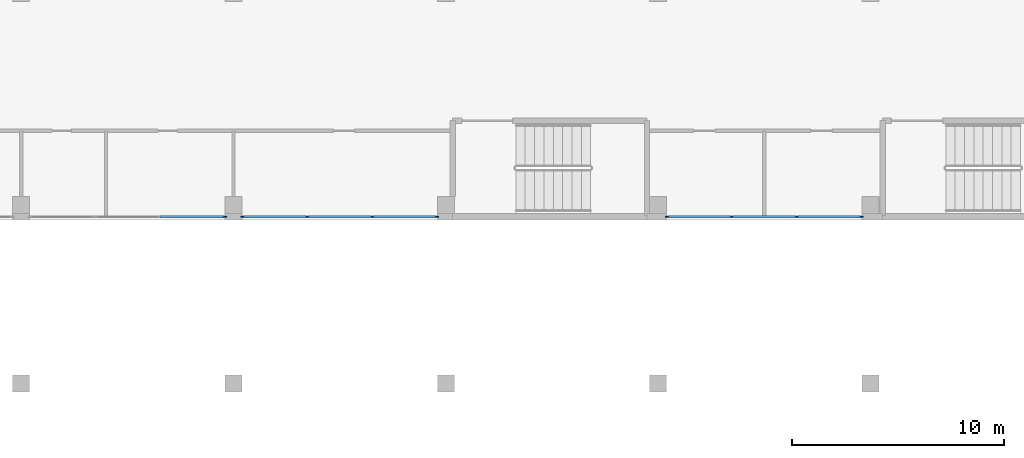
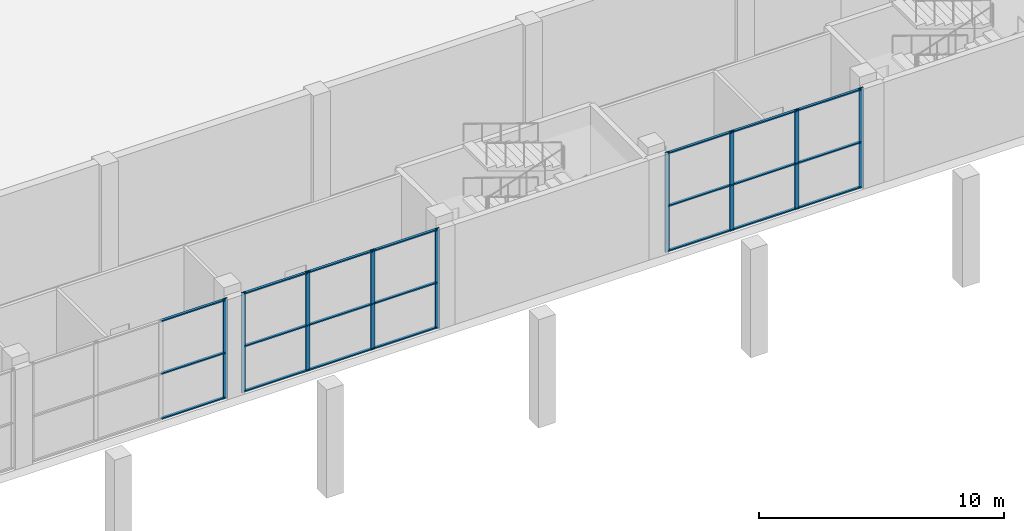
# One storey, part 3 of 35: 30 members, 3 elements without a shape of their own.
"""IFC4 building model written with IfcOpenShell, lengths in metres."""

from ifc_helpers import new_model, si_unit, direction, frame, origin, origin_2d, place, context, subcontext, project, spatial, rectangle, extrude, material, material_profile, profile_set, type_object, element, aggregate, save


model = new_model("IFC4")

# Units and contexts
model_context = context("Model", 3, precision=1e-05, world=origin(), true_north=direction((0.0, 1.0)))
body_context = subcontext(model_context, "Body", "Model", "MODEL_VIEW")
ifc_project = project(units=[si_unit("LENGTHUNIT", "METRE"), si_unit("AREAUNIT", "SQUARE_METRE"), si_unit("VOLUMEUNIT", "CUBIC_METRE"), si_unit("PLANEANGLEUNIT", "RADIAN"), si_unit("MASSUNIT", "GRAM", prefix="KILO")], contexts=[model_context])

# Site, building, storey
site_placement = place(None, origin())
site = spatial("IfcSite", under=ifc_project, at=site_placement, CompositionType="ELEMENT")
building_placement = place(site_placement, origin())
building = spatial("IfcBuilding", under=site, at=building_placement, Name="Jabali Bay Hotel Tower and Convention Centre", CompositionType="ELEMENT")
storey_placement = place(building_placement, frame((0.0, 0.0, 15.0)))
storey = spatial("IfcBuildingStorey", under=building, at=storey_placement, Name="L02", CompositionType="ELEMENT", Elevation=15.0)

# Curtain wall, member
ifc_material_1 = material(Name="Aluminium 6063-T5 and glass", Category="aluminium")
curtain_wall_type = type_object("IfcCurtainWallType", Name="CC CW5 Unitised Curtain Wall", PredefinedType="NOTDEFINED", material=ifc_material_1)
curtain_wall_1_placement = place(storey_placement, origin())
curtain_wall_1 = element("IfcCurtainWall", 1, at=curtain_wall_1_placement, inside=storey, type_object=curtain_wall_type, Name="CC CW5 run 3", PredefinedType="NOTDEFINED")
ifc_material_2 = material(Name="Aluminium 6063-T5", Category="aluminium")
ifc_material_profile_1 = material_profile(ifc_material_2, rectangle(XDim=0.06005859375, YDim=0.199951171875, at=origin_2d()), Name="AL 60x200")
ifc_profile_set_1 = profile_set([ifc_material_profile_1], Name="Aluminium 6063-T5")
member_type_1 = type_object("IfcMemberType", Name="CC Curtain Wall Mullion 60x200", PredefinedType="MULLION", material=ifc_profile_set_1)
member_1_placement = place(storey_placement, frame((190.27001953125, 49.449951171875, 0.0), z_axis=(0.0, 0.0, 1.0), x_axis=(0.0, 1.0, 0.0)))
member_1 = element("IfcMember", 2, at=member_1_placement, type_object=member_type_1, Name="CC-CW5 mullion 4", PredefinedType="MULLION", context=body_context, shape_type="SweptSolid", body=[
    extrude(rectangle(XDim=0.06005859375, YDim=0.199951171875, at=origin_2d()), origin(), (0.0, 0.0, 1.0), 4.989990234375),
])

# Curtain wall, members
curtain_wall_2_placement = place(storey_placement, origin())
curtain_wall_2 = element("IfcCurtainWall", 3, at=curtain_wall_2_placement, inside=storey, type_object=curtain_wall_type, Name="CC CW5 run 4", PredefinedType="NOTDEFINED")
member_2_placement = place(storey_placement, frame((191.1298828125, 49.449951171875, 0.0), z_axis=(0.0, 0.0, 1.0), x_axis=(0.0, 1.0, 0.0)))
member_2 = element("IfcMember", 4, at=member_2_placement, type_object=member_type_1, Name="CC-CW5 mullion 1", PredefinedType="MULLION", context=body_context, shape_type="SweptSolid", body=[
    extrude(rectangle(XDim=0.06005859375, YDim=0.199951171875, at=origin_2d()), origin(), (0.0, 0.0, 1.0), 4.989990234375),
])
member_3_placement = place(storey_placement, frame((194.166748046875, 49.449951171875, 0.0), z_axis=(0.0, 0.0, 1.0), x_axis=(0.0, 1.0, 0.0)))
member_3 = element("IfcMember", 5, at=member_3_placement, type_object=member_type_1, Name="CC-CW5 mullion 2", PredefinedType="MULLION", context=body_context, shape_type="SweptSolid", body=[
    extrude(rectangle(XDim=0.06005859375, YDim=0.199951171875, at=origin_2d()), origin(), (0.0, 0.0, 1.0), 4.989990234375),
])
member_4_placement = place(storey_placement, frame((197.2333984375, 49.449951171875, 0.0), z_axis=(0.0, 0.0, 1.0), x_axis=(0.0, 1.0, 0.0)))
member_4 = element("IfcMember", 6, at=member_4_placement, type_object=member_type_1, Name="CC-CW5 mullion 3", PredefinedType="MULLION", context=body_context, shape_type="SweptSolid", body=[
    extrude(rectangle(XDim=0.06005859375, YDim=0.199951171875, at=origin_2d()), origin(), (0.0, 0.0, 1.0), 4.989990234375),
])
member_5_placement = place(storey_placement, frame((200.27001953125, 49.449951171875, 0.0), z_axis=(0.0, 0.0, 1.0), x_axis=(0.0, 1.0, 0.0)))
member_5 = element("IfcMember", 7, at=member_5_placement, type_object=member_type_1, Name="CC-CW5 mullion 4", PredefinedType="MULLION", context=body_context, shape_type="SweptSolid", body=[
    extrude(rectangle(XDim=0.06005859375, YDim=0.199951171875, at=origin_2d()), origin(), (0.0, 0.0, 1.0), 4.989990234375),
])

curtain_wall_3_placement = place(storey_placement, origin())
curtain_wall_3 = element("IfcCurtainWall", 8, at=curtain_wall_3_placement, inside=storey, type_object=curtain_wall_type, Name="CC CW5 run 5", PredefinedType="NOTDEFINED")
member_6_placement = place(storey_placement, frame((211.1298828125, 49.449951171875, 0.0), z_axis=(0.0, 0.0, 1.0), x_axis=(0.0, 1.0, 0.0)))
member_6 = element("IfcMember", 9, at=member_6_placement, type_object=member_type_1, Name="CC-CW5 mullion 1", PredefinedType="MULLION", context=body_context, shape_type="SweptSolid", body=[
    extrude(rectangle(XDim=0.06005859375, YDim=0.199951171875, at=origin_2d()), origin(), (0.0, 0.0, 1.0), 4.989990234375),
])
member_7_placement = place(storey_placement, frame((214.166748046875, 49.449951171875, 0.0), z_axis=(0.0, 0.0, 1.0), x_axis=(0.0, 1.0, 0.0)))
member_7 = element("IfcMember", 10, at=member_7_placement, type_object=member_type_1, Name="CC-CW5 mullion 2", PredefinedType="MULLION", context=body_context, shape_type="SweptSolid", body=[
    extrude(rectangle(XDim=0.06005859375, YDim=0.199951171875, at=origin_2d()), origin(), (0.0, 0.0, 1.0), 4.989990234375),
])
member_8_placement = place(storey_placement, frame((217.2333984375, 49.449951171875, 0.0), z_axis=(0.0, 0.0, 1.0), x_axis=(0.0, 1.0, 0.0)))
member_8 = element("IfcMember", 11, at=member_8_placement, type_object=member_type_1, Name="CC-CW5 mullion 3", PredefinedType="MULLION", context=body_context, shape_type="SweptSolid", body=[
    extrude(rectangle(XDim=0.06005859375, YDim=0.199951171875, at=origin_2d()), origin(), (0.0, 0.0, 1.0), 4.989990234375),
])
member_9_placement = place(storey_placement, frame((220.27001953125, 49.449951171875, 0.0), z_axis=(0.0, 0.0, 1.0), x_axis=(0.0, 1.0, 0.0)))
member_9 = element("IfcMember", 12, at=member_9_placement, type_object=member_type_1, Name="CC-CW5 mullion 4", PredefinedType="MULLION", context=body_context, shape_type="SweptSolid", body=[
    extrude(rectangle(XDim=0.06005859375, YDim=0.199951171875, at=origin_2d()), origin(), (0.0, 0.0, 1.0), 4.989990234375),
])

# Member
ifc_material_profile_2 = material_profile(ifc_material_2, rectangle(XDim=0.1201171875, YDim=0.06005859375, at=origin_2d()), Name="AL 120x60")
ifc_profile_set_2 = profile_set([ifc_material_profile_2], Name="Aluminium 6063-T5")
member_type_2 = type_object("IfcMemberType", Name="CC Curtain Wall Transom 60x120", PredefinedType="USERDEFINED", material=ifc_profile_set_2)
member_10_placement = place(storey_placement, frame((187.263427734375, 49.449951171875, 0.06005859375), z_axis=(1.0, 0.0, 0.0), x_axis=(0.0, 1.0, 0.0)))
member_10 = element("IfcMember", 13, at=member_10_placement, type_object=member_type_2, Name="CC-CW5 transom 3.1", ObjectType="TRANSOM", PredefinedType="USERDEFINED", context=body_context, shape_type="SweptSolid", body=[
    extrude(rectangle(XDim=0.1201171875, YDim=0.06005859375, at=origin_2d()), origin(), (0.0, 0.0, 1.0), 2.9765625),
])

member_11_placement = place(storey_placement, frame((187.263427734375, 49.449951171875, 2.300048828125), z_axis=(1.0, 0.0, 0.0), x_axis=(0.0, 1.0, 0.0)))
member_11 = element("IfcMember", 14, at=member_11_placement, type_object=member_type_2, Name="CC-CW5 transom 3.2", ObjectType="TRANSOM", PredefinedType="USERDEFINED", context=body_context, shape_type="SweptSolid", body=[
    extrude(rectangle(XDim=0.1201171875, YDim=0.06005859375, at=origin_2d()), origin(), (0.0, 0.0, 1.0), 2.9765625),
])

member_12_placement = place(storey_placement, frame((187.263427734375, 49.449951171875, 4.929931640625), z_axis=(1.0, 0.0, 0.0), x_axis=(0.0, 1.0, 0.0)))
member_12 = element("IfcMember", 15, at=member_12_placement, type_object=member_type_2, Name="CC-CW5 transom 3.3", ObjectType="TRANSOM", PredefinedType="USERDEFINED", context=body_context, shape_type="SweptSolid", body=[
    extrude(rectangle(XDim=0.1201171875, YDim=0.06005859375, at=origin_2d()), origin(), (0.0, 0.0, 1.0), 2.9765625),
])

aggregate(curtain_wall_1, [member_1, member_10, member_11, member_12])

member_13_placement = place(storey_placement, frame((191.159912109375, 49.449951171875, 0.06005859375), z_axis=(1.0, 0.0, 0.0), x_axis=(0.0, 1.0, 0.0)))
member_13 = element("IfcMember", 16, at=member_13_placement, type_object=member_type_2, Name="CC-CW5 transom 1.1", ObjectType="TRANSOM", PredefinedType="USERDEFINED", context=body_context, shape_type="SweptSolid", body=[
    extrude(rectangle(XDim=0.1201171875, YDim=0.06005859375, at=origin_2d()), origin(), (0.0, 0.0, 1.0), 2.976806640625),
])

member_14_placement = place(storey_placement, frame((191.159912109375, 49.449951171875, 2.300048828125), z_axis=(1.0, 0.0, 0.0), x_axis=(0.0, 1.0, 0.0)))
member_14 = element("IfcMember", 17, at=member_14_placement, type_object=member_type_2, Name="CC-CW5 transom 1.2", ObjectType="TRANSOM", PredefinedType="USERDEFINED", context=body_context, shape_type="SweptSolid", body=[
    extrude(rectangle(XDim=0.1201171875, YDim=0.06005859375, at=origin_2d()), origin(), (0.0, 0.0, 1.0), 2.976806640625),
])

member_15_placement = place(storey_placement, frame((191.159912109375, 49.449951171875, 4.929931640625), z_axis=(1.0, 0.0, 0.0), x_axis=(0.0, 1.0, 0.0)))
member_15 = element("IfcMember", 18, at=member_15_placement, type_object=member_type_2, Name="CC-CW5 transom 1.3", ObjectType="TRANSOM", PredefinedType="USERDEFINED", context=body_context, shape_type="SweptSolid", body=[
    extrude(rectangle(XDim=0.1201171875, YDim=0.06005859375, at=origin_2d()), origin(), (0.0, 0.0, 1.0), 2.976806640625),
])

member_16_placement = place(storey_placement, frame((194.19677734375, 49.449951171875, 0.06005859375), z_axis=(1.0, 0.0, 0.0), x_axis=(0.0, 1.0, 0.0)))
member_16 = element("IfcMember", 19, at=member_16_placement, type_object=member_type_2, Name="CC-CW5 transom 2.1", ObjectType="TRANSOM", PredefinedType="USERDEFINED", context=body_context, shape_type="SweptSolid", body=[
    extrude(rectangle(XDim=0.1201171875, YDim=0.06005859375, at=origin_2d()), origin(), (0.0, 0.0, 1.0), 3.006591796875),
])

member_17_placement = place(storey_placement, frame((194.19677734375, 49.449951171875, 2.300048828125), z_axis=(1.0, 0.0, 0.0), x_axis=(0.0, 1.0, 0.0)))
member_17 = element("IfcMember", 20, at=member_17_placement, type_object=member_type_2, Name="CC-CW5 transom 2.2", ObjectType="TRANSOM", PredefinedType="USERDEFINED", context=body_context, shape_type="SweptSolid", body=[
    extrude(rectangle(XDim=0.1201171875, YDim=0.06005859375, at=origin_2d()), origin(), (0.0, 0.0, 1.0), 3.006591796875),
])

member_18_placement = place(storey_placement, frame((194.19677734375, 49.449951171875, 4.929931640625), z_axis=(1.0, 0.0, 0.0), x_axis=(0.0, 1.0, 0.0)))
member_18 = element("IfcMember", 21, at=member_18_placement, type_object=member_type_2, Name="CC-CW5 transom 2.3", ObjectType="TRANSOM", PredefinedType="USERDEFINED", context=body_context, shape_type="SweptSolid", body=[
    extrude(rectangle(XDim=0.1201171875, YDim=0.06005859375, at=origin_2d()), origin(), (0.0, 0.0, 1.0), 3.006591796875),
])

member_19_placement = place(storey_placement, frame((197.263427734375, 49.449951171875, 0.06005859375), z_axis=(1.0, 0.0, 0.0), x_axis=(0.0, 1.0, 0.0)))
member_19 = element("IfcMember", 22, at=member_19_placement, type_object=member_type_2, Name="CC-CW5 transom 3.1", ObjectType="TRANSOM", PredefinedType="USERDEFINED", context=body_context, shape_type="SweptSolid", body=[
    extrude(rectangle(XDim=0.1201171875, YDim=0.06005859375, at=origin_2d()), origin(), (0.0, 0.0, 1.0), 2.9765625),
])

member_20_placement = place(storey_placement, frame((197.263427734375, 49.449951171875, 2.300048828125), z_axis=(1.0, 0.0, 0.0), x_axis=(0.0, 1.0, 0.0)))
member_20 = element("IfcMember", 23, at=member_20_placement, type_object=member_type_2, Name="CC-CW5 transom 3.2", ObjectType="TRANSOM", PredefinedType="USERDEFINED", context=body_context, shape_type="SweptSolid", body=[
    extrude(rectangle(XDim=0.1201171875, YDim=0.06005859375, at=origin_2d()), origin(), (0.0, 0.0, 1.0), 2.9765625),
])

member_21_placement = place(storey_placement, frame((197.263427734375, 49.449951171875, 4.929931640625), z_axis=(1.0, 0.0, 0.0), x_axis=(0.0, 1.0, 0.0)))
member_21 = element("IfcMember", 24, at=member_21_placement, type_object=member_type_2, Name="CC-CW5 transom 3.3", ObjectType="TRANSOM", PredefinedType="USERDEFINED", context=body_context, shape_type="SweptSolid", body=[
    extrude(rectangle(XDim=0.1201171875, YDim=0.06005859375, at=origin_2d()), origin(), (0.0, 0.0, 1.0), 2.9765625),
])

aggregate(curtain_wall_2, [member_2, member_3, member_4, member_5, member_13, member_14, member_15, member_16, member_17, member_18, member_19, member_20, member_21])

member_22_placement = place(storey_placement, frame((211.159912109375, 49.449951171875, 0.06005859375), z_axis=(1.0, 0.0, 0.0), x_axis=(0.0, 1.0, 0.0)))
member_22 = element("IfcMember", 25, at=member_22_placement, type_object=member_type_2, Name="CC-CW5 transom 1.1", ObjectType="TRANSOM", PredefinedType="USERDEFINED", context=body_context, shape_type="SweptSolid", body=[
    extrude(rectangle(XDim=0.1201171875, YDim=0.06005859375, at=origin_2d()), origin(), (0.0, 0.0, 1.0), 2.976806640625),
])

member_23_placement = place(storey_placement, frame((211.159912109375, 49.449951171875, 2.300048828125), z_axis=(1.0, 0.0, 0.0), x_axis=(0.0, 1.0, 0.0)))
member_23 = element("IfcMember", 26, at=member_23_placement, type_object=member_type_2, Name="CC-CW5 transom 1.2", ObjectType="TRANSOM", PredefinedType="USERDEFINED", context=body_context, shape_type="SweptSolid", body=[
    extrude(rectangle(XDim=0.1201171875, YDim=0.06005859375, at=origin_2d()), origin(), (0.0, 0.0, 1.0), 2.976806640625),
])

member_24_placement = place(storey_placement, frame((211.159912109375, 49.449951171875, 4.929931640625), z_axis=(1.0, 0.0, 0.0), x_axis=(0.0, 1.0, 0.0)))
member_24 = element("IfcMember", 27, at=member_24_placement, type_object=member_type_2, Name="CC-CW5 transom 1.3", ObjectType="TRANSOM", PredefinedType="USERDEFINED", context=body_context, shape_type="SweptSolid", body=[
    extrude(rectangle(XDim=0.1201171875, YDim=0.06005859375, at=origin_2d()), origin(), (0.0, 0.0, 1.0), 2.976806640625),
])

member_25_placement = place(storey_placement, frame((214.19677734375, 49.449951171875, 0.06005859375), z_axis=(1.0, 0.0, 0.0), x_axis=(0.0, 1.0, 0.0)))
member_25 = element("IfcMember", 28, at=member_25_placement, type_object=member_type_2, Name="CC-CW5 transom 2.1", ObjectType="TRANSOM", PredefinedType="USERDEFINED", context=body_context, shape_type="SweptSolid", body=[
    extrude(rectangle(XDim=0.1201171875, YDim=0.06005859375, at=origin_2d()), origin(), (0.0, 0.0, 1.0), 3.006591796875),
])

member_26_placement = place(storey_placement, frame((214.19677734375, 49.449951171875, 2.300048828125), z_axis=(1.0, 0.0, 0.0), x_axis=(0.0, 1.0, 0.0)))
member_26 = element("IfcMember", 29, at=member_26_placement, type_object=member_type_2, Name="CC-CW5 transom 2.2", ObjectType="TRANSOM", PredefinedType="USERDEFINED", context=body_context, shape_type="SweptSolid", body=[
    extrude(rectangle(XDim=0.1201171875, YDim=0.06005859375, at=origin_2d()), origin(), (0.0, 0.0, 1.0), 3.006591796875),
])

member_27_placement = place(storey_placement, frame((214.19677734375, 49.449951171875, 4.929931640625), z_axis=(1.0, 0.0, 0.0), x_axis=(0.0, 1.0, 0.0)))
member_27 = element("IfcMember", 30, at=member_27_placement, type_object=member_type_2, Name="CC-CW5 transom 2.3", ObjectType="TRANSOM", PredefinedType="USERDEFINED", context=body_context, shape_type="SweptSolid", body=[
    extrude(rectangle(XDim=0.1201171875, YDim=0.06005859375, at=origin_2d()), origin(), (0.0, 0.0, 1.0), 3.006591796875),
])

member_28_placement = place(storey_placement, frame((217.263427734375, 49.449951171875, 0.06005859375), z_axis=(1.0, 0.0, 0.0), x_axis=(0.0, 1.0, 0.0)))
member_28 = element("IfcMember", 31, at=member_28_placement, type_object=member_type_2, Name="CC-CW5 transom 3.1", ObjectType="TRANSOM", PredefinedType="USERDEFINED", context=body_context, shape_type="SweptSolid", body=[
    extrude(rectangle(XDim=0.1201171875, YDim=0.06005859375, at=origin_2d()), origin(), (0.0, 0.0, 1.0), 2.9765625),
])

member_29_placement = place(storey_placement, frame((217.263427734375, 49.449951171875, 2.300048828125), z_axis=(1.0, 0.0, 0.0), x_axis=(0.0, 1.0, 0.0)))
member_29 = element("IfcMember", 32, at=member_29_placement, type_object=member_type_2, Name="CC-CW5 transom 3.2", ObjectType="TRANSOM", PredefinedType="USERDEFINED", context=body_context, shape_type="SweptSolid", body=[
    extrude(rectangle(XDim=0.1201171875, YDim=0.06005859375, at=origin_2d()), origin(), (0.0, 0.0, 1.0), 2.9765625),
])

member_30_placement = place(storey_placement, frame((217.263427734375, 49.449951171875, 4.929931640625), z_axis=(1.0, 0.0, 0.0), x_axis=(0.0, 1.0, 0.0)))
member_30 = element("IfcMember", 33, at=member_30_placement, type_object=member_type_2, Name="CC-CW5 transom 3.3", ObjectType="TRANSOM", PredefinedType="USERDEFINED", context=body_context, shape_type="SweptSolid", body=[
    extrude(rectangle(XDim=0.1201171875, YDim=0.06005859375, at=origin_2d()), origin(), (0.0, 0.0, 1.0), 2.9765625),
])

aggregate(curtain_wall_3, [member_6, member_7, member_8, member_9, member_22, member_23, member_24, member_25, member_26, member_27, member_28, member_29, member_30])

save(model, "model.ifc")
